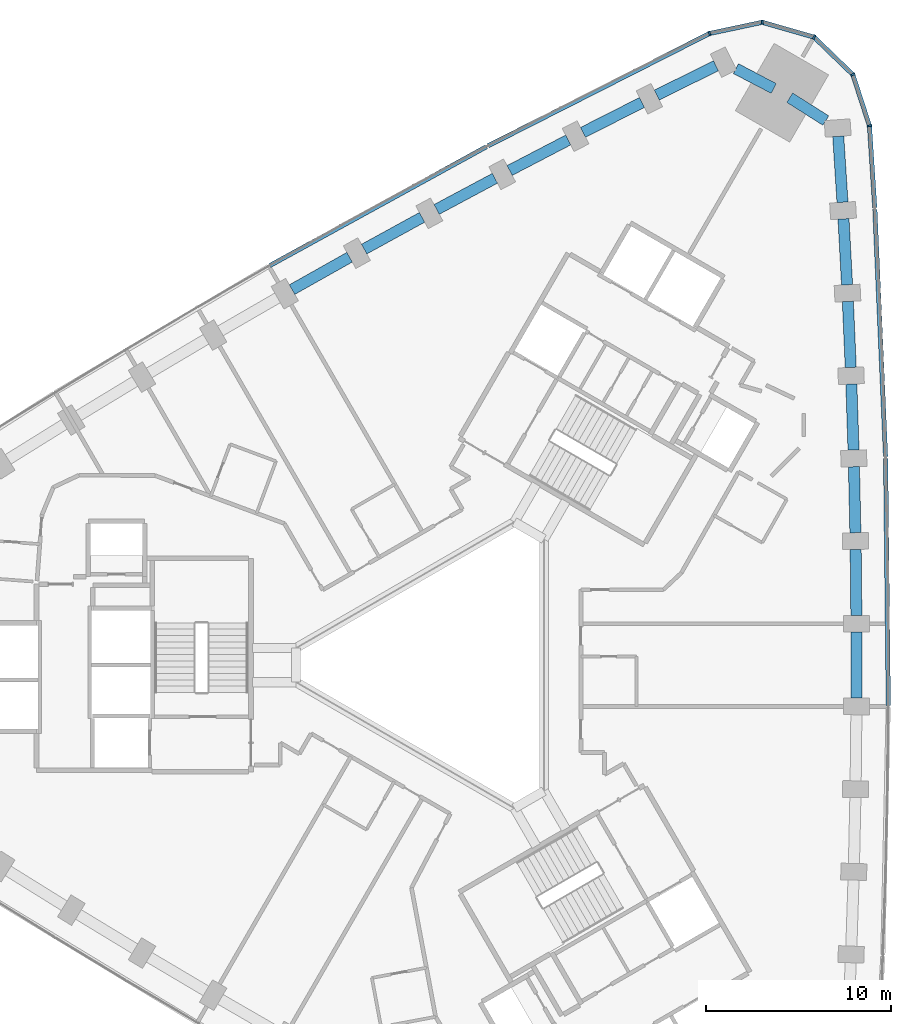
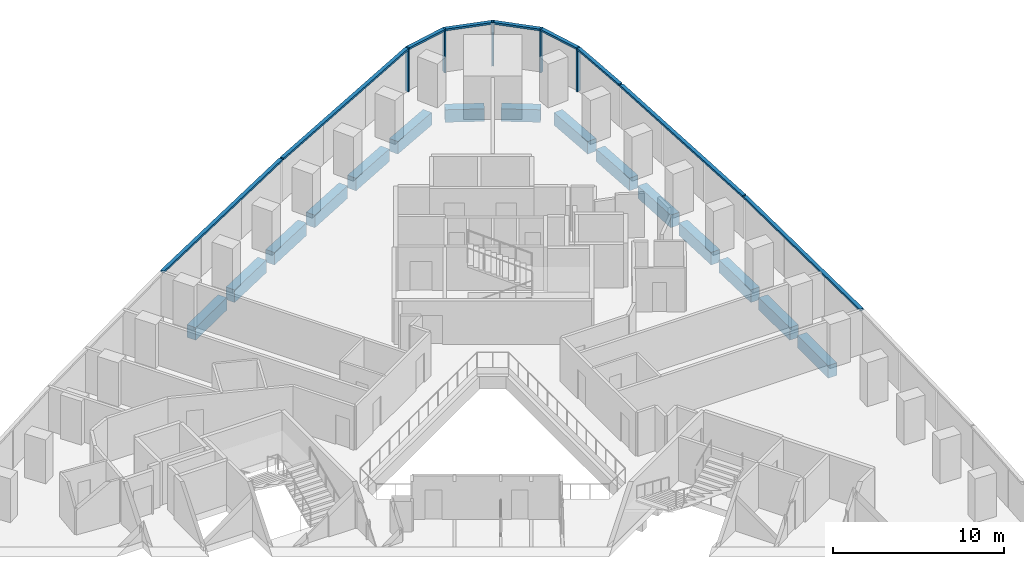
# One storey, part 5 of 13: 15 beams, 14 members, 2 elements without a shape of their own.
"""IFC4 building model written with IfcOpenShell, lengths in metres."""

from ifc_helpers import new_model, si_unit, direction, frame, origin, origin_2d, place, context, subcontext, project, spatial, rectangle, extrude, material, material_profile, profile_set, type_object, element, aggregate, save


model = new_model("IFC4")

# Units and contexts
model_context = context("Model", 3, precision=1e-05, world=origin(), true_north=direction((0.0, 1.0)))
body_context = subcontext(model_context, "Body", "Model", "MODEL_VIEW")
ifc_project = project(units=[si_unit("LENGTHUNIT", "METRE"), si_unit("AREAUNIT", "SQUARE_METRE"), si_unit("VOLUMEUNIT", "CUBIC_METRE"), si_unit("PLANEANGLEUNIT", "RADIAN"), si_unit("MASSUNIT", "GRAM", prefix="KILO")], contexts=[model_context])

# Site, building, storey
site_placement = place(None, origin())
site = spatial("IfcSite", under=ifc_project, at=site_placement, CompositionType="ELEMENT")
building_placement = place(site_placement, origin())
building = spatial("IfcBuilding", under=site, at=building_placement, Name="Tamra Quay Hotel Tower", CompositionType="ELEMENT")
storey_placement = place(building_placement, frame((0.0, 0.0, 38.60009765625)))
storey = spatial("IfcBuildingStorey", under=building, at=storey_placement, Name="L07", CompositionType="ELEMENT", Elevation=38.60009765625)

# Curtain wall, members
ifc_material_1 = material(Name="Aluminium 6063 anodised dark grey", Category="aluminium")
curtain_wall_type_1 = type_object("IfcCurtainWallType", Name="CW1 CURTAIN WALL", PredefinedType="NOTDEFINED", material=ifc_material_1)
curtain_wall_1_placement = place(storey_placement, origin())
curtain_wall_1 = element("IfcCurtainWall", 1, at=curtain_wall_1_placement, inside=storey, type_object=curtain_wall_type_1, Name="CW1 east face L07", PredefinedType="NOTDEFINED")
ifc_material_profile_1 = material_profile(ifc_material_1, rectangle(XDim=0.239990234375, YDim=0.10009765625, at=origin_2d()), Name="MULLION 100X240")
ifc_profile_set_1 = profile_set([ifc_material_profile_1], Name="Aluminium 6063 anodised dark grey")
member_type_1 = type_object("IfcMemberType", Name="MULLION CW1 Z1", PredefinedType="MULLION", material=ifc_profile_set_1)
member_1_placement = place(storey_placement, frame((22.5986328125, 29.154052734375, 0.0), z_axis=(0.0, 0.0, 1.0), x_axis=(0.982094520957, 0.188388831692, 0.0)))
member_1 = element("IfcMember", 2, at=member_1_placement, type_object=member_type_1, Name="CW1 mullion L07.E.14", PredefinedType="MULLION", context=body_context, shape_type="SweptSolid", body=[
    extrude(rectangle(XDim=0.239990234375, YDim=0.10009765625, at=origin_2d()), origin(), (0.0, 0.0, 1.0), 3.125),
])
member_2_placement = place(storey_placement, frame((21.697998046875, 31.926025390625, 0.0), z_axis=(0.0, 0.0, 1.0), x_axis=(0.848039345356, 0.529933268183, 0.0)))
member_2 = element("IfcMember", 3, at=member_2_placement, type_object=member_type_1, Name="CW1 mullion L07.E.15", PredefinedType="MULLION", context=body_context, shape_type="SweptSolid", body=[
    extrude(rectangle(XDim=0.239990234375, YDim=0.10009765625, at=origin_2d()), origin(), (0.0, 0.0, 1.0), 3.125),
])
member_3_placement = place(storey_placement, frame((19.6015625, 33.95068359375, 0.0), z_axis=(0.0, 0.0, 1.0), x_axis=(0.5, 0.866025403784, 0.0)))
member_3 = element("IfcMember", 4, at=member_3_placement, type_object=member_type_1, Name="CW1 mullion L07.E.16", PredefinedType="MULLION", context=body_context, shape_type="SweptSolid", body=[
    extrude(rectangle(XDim=0.239990234375, YDim=0.10009765625, at=origin_2d()), origin(), (0.0, 0.0, 1.0), 3.125),
])
member_4_placement = place(storey_placement, frame((16.7998046875, 34.754150390625, 0.0), z_axis=(0.0, 0.0, 1.0), x_axis=(0.034915999879, 0.999390250579, 0.0)))
member_4 = element("IfcMember", 5, at=member_4_placement, type_object=member_type_1, Name="CW1 mullion L07.E.17", PredefinedType="MULLION", context=body_context, shape_type="SweptSolid", body=[
    extrude(rectangle(XDim=0.239990234375, YDim=0.10009765625, at=origin_2d()), origin(), (0.0, 0.0, 1.0), 3.125),
])

# Curtain wall, member
curtain_wall_type_2 = type_object("IfcCurtainWallType", Name="CW2 CURTAIN WALL", PredefinedType="NOTDEFINED", material=ifc_material_1)
curtain_wall_2_placement = place(storey_placement, origin())
curtain_wall_2 = element("IfcCurtainWall", 6, at=curtain_wall_2_placement, inside=storey, type_object=curtain_wall_type_2, Name="CW2 north-west face L07", PredefinedType="NOTDEFINED")
ifc_material_profile_2 = material_profile(ifc_material_1, rectangle(XDim=0.239990234375, YDim=0.10009765625, at=origin_2d()), Name="MULLION 100X240")
ifc_profile_set_2 = profile_set([ifc_material_profile_2], Name="Aluminium 6063 anodised dark grey")
member_type_2 = type_object("IfcMemberType", Name="MULLION CW2 Z1", PredefinedType="MULLION", material=ifc_profile_set_2)
member_5_placement = place(storey_placement, frame((13.948974609375, 34.148193359375, 0.0), z_axis=(0.0, 0.0, 1.0), x_axis=(-0.327897746444, 0.944713219912, 0.0)))
member_5 = element("IfcMember", 7, at=member_5_placement, type_object=member_type_2, Name="CW2 mullion L07.NW.1", PredefinedType="MULLION", context=body_context, shape_type="SweptSolid", body=[
    extrude(rectangle(XDim=0.239990234375, YDim=0.10009765625, at=origin_2d()), origin(), (0.0, 0.0, 1.0), 3.125),
])

# Beams
ifc_material_2 = material(Name="Concrete M60", Category="concrete")
ifc_material_profile_3 = material_profile(ifc_material_2, rectangle(XDim=0.60009765625, YDim=0.89990234375, at=origin_2d()), Name="SPANDREL BEAM RC 600x900")
ifc_profile_set_3 = profile_set([ifc_material_profile_3], Name="Concrete M60")
beam_type = type_object("IfcBeamType", Name="SPANDREL BEAM RC 600x900", PredefinedType="SPANDREL", material=ifc_profile_set_3)
beam_1_placement = place(storey_placement, frame((21.894287109375, -1.785400390625, -0.925048828125), z_axis=(0.0, 1.0, 0.0), x_axis=(-1.0, 0.0, 0.0)))
element("IfcBeam", 8, at=beam_1_placement, inside=storey, type_object=beam_type, Name="BM-SP1-006-L07", PredefinedType="SPANDREL", context=body_context, shape_type="SweptSolid", body=[
    extrude(rectangle(XDim=0.60009765625, YDim=0.89990234375, at=origin_2d()), origin(), (0.0, 0.0, 1.0), 3.57080078125),
])
beam_2_placement = place(storey_placement, frame((21.889404296875, 2.685302734375, -0.925048828125), z_axis=(-0.010803527021, 0.999941640199, 0.0), x_axis=(-0.999941640199, -0.010803527021, 0.0)))
element("IfcBeam", 9, at=beam_2_placement, inside=storey, type_object=beam_type, Name="BM-SP1-007-L07", PredefinedType="SPANDREL", context=body_context, shape_type="SweptSolid", body=[
    extrude(rectangle(XDim=0.60009765625, YDim=0.89990234375, at=origin_2d()), origin(), (0.0, 0.0, 1.0), 3.570556640625),
])
beam_3_placement = place(storey_placement, frame((21.836181640625, 7.155517578125, -0.925048828125), z_axis=(-0.021679013576, 0.999764982569, 0.0), x_axis=(-0.999764982569, -0.021679013576, 0.0)))
element("IfcBeam", 10, at=beam_3_placement, inside=storey, type_object=beam_type, Name="BM-SP1-008-L07", PredefinedType="SPANDREL", context=body_context, shape_type="SweptSolid", body=[
    extrude(rectangle(XDim=0.60009765625, YDim=0.89990234375, at=origin_2d()), origin(), (0.0, 0.0, 1.0), 3.56982421875),
])
for number, where, z_axis, x_axis, name in (
    (11, (21.734619140625, 11.624267578125, -0.925048828125), (-0.032547568535, 0.999470187541, 0.0), (-0.999470187541, -0.032547568535, 0.0), "BM-SP1-009-L07"),
    (12, (21.58447265625, 16.09228515625, -0.925048828125), (-0.043282922957, 0.99906285517, 0.0), (-0.99906285517, -0.043282922957, 0.0), "BM-SP1-010-L07"),
):
    element("IfcBeam", number, at=place(storey_placement, frame(where, z_axis=z_axis, x_axis=x_axis)), inside=storey, type_object=beam_type, Name=name, PredefinedType="SPANDREL", context=body_context, shape_type="SweptSolid", body=[
        extrude(rectangle(XDim=0.60009765625, YDim=0.89990234375, at=origin_2d()), origin(), (0.0, 0.0, 1.0), 3.570556640625),
    ])
beam_4_placement = place(storey_placement, frame((21.385986328125, 20.558349609375, -0.925048828125), z_axis=(-0.054026860576, 0.998539482613, 0.0), x_axis=(-0.998539482613, -0.054026860576, 0.0)))
element("IfcBeam", 13, at=beam_4_placement, inside=storey, type_object=beam_type, Name="BM-SP1-011-L07", PredefinedType="SPANDREL", context=body_context, shape_type="SweptSolid", body=[
    extrude(rectangle(XDim=0.60009765625, YDim=0.89990234375, at=origin_2d()), origin(), (0.0, 0.0, 1.0), 3.56982421875),
])
beam_5_placement = place(storey_placement, frame((21.139404296875, 25.021484375, -0.925048828125), z_axis=(-0.064749077985, 0.99790157676, 0.0), x_axis=(-0.99790157676, -0.064749077985, 0.0)))
element("IfcBeam", 14, at=beam_5_placement, inside=storey, type_object=beam_type, Name="BM-SP1-012-L07", PredefinedType="SPANDREL", context=body_context, shape_type="SweptSolid", body=[
    extrude(rectangle(XDim=0.60009765625, YDim=0.89990234375, at=origin_2d()), origin(), (0.0, 0.0, 1.0), 3.57080078125),
])
beam_6_placement = place(storey_placement, frame((20.2373046875, 29.440185546875, -0.925048828125), z_axis=(-0.844978382684, 0.53480046073, 0.0), x_axis=(-0.53480046073, -0.844978382684, 0.0)))
element("IfcBeam", 15, at=beam_6_placement, inside=storey, type_object=beam_type, Name="BM-SP1-013-L07", PredefinedType="SPANDREL", context=body_context, shape_type="SweptSolid", body=[
    extrude(rectangle(XDim=0.60009765625, YDim=0.89990234375, at=origin_2d()), origin(), (0.0, 0.0, 1.0), 2.30859375),
])
beam_7_placement = place(storey_placement, frame((17.421630859375, 31.17431640625, -0.925048828125), z_axis=(-0.885674154565, 0.464307324879, 0.0), x_axis=(-0.464307324879, -0.885674154565, 0.0)))
element("IfcBeam", 16, at=beam_7_placement, inside=storey, type_object=beam_type, Name="BM-SP1-014-L07", PredefinedType="SPANDREL", context=body_context, shape_type="SweptSolid", body=[
    extrude(rectangle(XDim=0.60009765625, YDim=0.89990234375, at=origin_2d()), origin(), (0.0, 0.0, 1.0), 2.308349609375),
])
beam_8_placement = place(storey_placement, frame((14.301025390625, 32.3994140625, -0.925048828125), z_axis=(-0.896604328032, -0.442832563113, 0.0), x_axis=(0.442832563113, -0.896604328032, 0.0)))
element("IfcBeam", 17, at=beam_8_placement, inside=storey, type_object=beam_type, Name="BM-SP1-015-L07", PredefinedType="SPANDREL", context=body_context, shape_type="SweptSolid", body=[
    extrude(rectangle(XDim=0.60009765625, YDim=0.89990234375, at=origin_2d()), origin(), (0.0, 0.0, 1.0), 3.57080078125),
])
beam_9_placement = place(storey_placement, frame((10.294677734375, 30.415283203125, -0.925048828125), z_axis=(-0.891785652583, -0.452458119439, 0.0), x_axis=(0.452458119439, -0.891785652583, 0.0)))
element("IfcBeam", 18, at=beam_9_placement, inside=storey, type_object=beam_type, Name="BM-SP1-016-L07", PredefinedType="SPANDREL", context=body_context, shape_type="SweptSolid", body=[
    extrude(rectangle(XDim=0.60009765625, YDim=0.89990234375, at=origin_2d()), origin(), (0.0, 0.0, 1.0), 3.56982421875),
])
beam_10_placement = place(storey_placement, frame((6.310546875, 28.388427734375, -0.925048828125), z_axis=(-0.886863886749, -0.462030785101, 0.0), x_axis=(0.462030785101, -0.886863886749, 0.0)))
element("IfcBeam", 19, at=beam_10_placement, inside=storey, type_object=beam_type, Name="BM-SP1-017-L07", PredefinedType="SPANDREL", context=body_context, shape_type="SweptSolid", body=[
    extrude(rectangle(XDim=0.60009765625, YDim=0.89990234375, at=origin_2d()), origin(), (0.0, 0.0, 1.0), 3.570556640625),
])
beam_11_placement = place(storey_placement, frame((2.34814453125, 26.318603515625, -0.925048828125), z_axis=(-0.881809110934, -0.471606501094, 0.0), x_axis=(0.471606501094, -0.881809110934, 0.0)))
element("IfcBeam", 20, at=beam_11_placement, inside=storey, type_object=beam_type, Name="BM-SP1-018-L07", PredefinedType="SPANDREL", context=body_context, shape_type="SweptSolid", body=[
    extrude(rectangle(XDim=0.60009765625, YDim=0.89990234375, at=origin_2d()), origin(), (0.0, 0.0, 1.0), 3.5703125),
])
beam_12_placement = place(storey_placement, frame((-1.591796875, 24.2060546875, -0.925048828125), z_axis=(-0.876617015828, -0.481188744216, 0.0), x_axis=(0.481188744216, -0.876617015828, 0.0)))
element("IfcBeam", 21, at=beam_12_placement, inside=storey, type_object=beam_type, Name="BM-SP1-019-L07", PredefinedType="SPANDREL", context=body_context, shape_type="SweptSolid", body=[
    extrude(rectangle(XDim=0.60009765625, YDim=0.89990234375, at=origin_2d()), origin(), (0.0, 0.0, 1.0), 3.56982421875),
])
beam_13_placement = place(storey_placement, frame((-5.5078125, 22.051025390625, -0.925048828125), z_axis=(-0.871431243693, -0.49051767299, 0.0), x_axis=(0.49051767299, -0.871431243693, 0.0)))
element("IfcBeam", 22, at=beam_13_placement, inside=storey, type_object=beam_type, Name="BM-SP1-020-L07", PredefinedType="SPANDREL", context=body_context, shape_type="SweptSolid", body=[
    extrude(rectangle(XDim=0.60009765625, YDim=0.89990234375, at=origin_2d()), origin(), (0.0, 0.0, 1.0), 3.570556640625),
])

# Member
ifc_material_profile_4 = material_profile(ifc_material_1, rectangle(XDim=0.239990234375, YDim=0.139892578125, at=origin_2d()), Name="TRANSOM 240X140")
ifc_profile_set_4 = profile_set([ifc_material_profile_4], Name="Aluminium 6063 anodised dark grey")
member_type_3 = type_object("IfcMemberType", Name="TRANSOM CW1 Z1", PredefinedType="USERDEFINED", material=ifc_profile_set_4)
member_6_placement = place(storey_placement, frame((23.618408203125, -2.1943359375, 3.054931640625), z_axis=(-0.010831206208, 0.999941340766, 0.0), x_axis=(-0.999941340766, -0.010831206208, 0.0)))
member_6 = element("IfcMember", 23, at=member_6_placement, type_object=member_type_3, Name="CW1 transom L07.E.7", ObjectType="TRANSOM", PredefinedType="USERDEFINED", context=body_context, shape_type="SweptSolid", body=[
    extrude(rectangle(XDim=0.239990234375, YDim=0.139892578125, at=origin_2d()), origin(), (0.0, 0.0, 1.0), 13.366455078125),
])

member_7_placement = place(storey_placement, frame((23.470703125, 11.271484375, 3.054931640625), z_axis=(-0.043269977555, 0.999063415926, 0.0), x_axis=(-0.999063415926, -0.043269977555, 0.0)))
member_7 = element("IfcMember", 24, at=member_7_placement, type_object=member_type_3, Name="CW1 transom L07.E.10", ObjectType="TRANSOM", PredefinedType="USERDEFINED", context=body_context, shape_type="SweptSolid", body=[
    extrude(rectangle(XDim=0.239990234375, YDim=0.139892578125, at=origin_2d()), origin(), (0.0, 0.0, 1.0), 13.366455078125),
])

member_8_placement = place(storey_placement, frame((22.886474609375, 24.725341796875, 3.054931640625), z_axis=(-0.064816582932, 0.997897194393, 0.0), x_axis=(-0.997897194393, -0.064816582932, 0.0)))
member_8 = element("IfcMember", 25, at=member_8_placement, type_object=member_type_3, Name="CW1 transom L07.E.13", ObjectType="TRANSOM", PredefinedType="USERDEFINED", context=body_context, shape_type="SweptSolid", body=[
    extrude(rectangle(XDim=0.239990234375, YDim=0.139892578125, at=origin_2d()), origin(), (0.0, 0.0, 1.0), 4.38818359375),
])

member_9_placement = place(storey_placement, frame((22.583251953125, 29.20166015625, 3.054931640625), z_axis=(-0.309062535631, 0.951041717839, 0.0), x_axis=(-0.951041717839, -0.309062535631, 0.0)))
member_9 = element("IfcMember", 26, at=member_9_placement, type_object=member_type_3, Name="CW1 transom L07.E.14", ObjectType="TRANSOM", PredefinedType="USERDEFINED", context=body_context, shape_type="SweptSolid", body=[
    extrude(rectangle(XDim=0.239990234375, YDim=0.139892578125, at=origin_2d()), origin(), (0.0, 0.0, 1.0), 2.814453125),
])

member_10_placement = place(storey_placement, frame((21.662109375, 31.960693359375, 3.054931640625), z_axis=(-0.71931626538, 0.694682740796, 0.0), x_axis=(-0.694682740796, -0.71931626538, 0.0)))
member_10 = element("IfcMember", 27, at=member_10_placement, type_object=member_type_3, Name="CW1 transom L07.E.15", ObjectType="TRANSOM", PredefinedType="USERDEFINED", context=body_context, shape_type="SweptSolid", body=[
    extrude(rectangle(XDim=0.239990234375, YDim=0.139892578125, at=origin_2d()), origin(), (0.0, 0.0, 1.0), 2.814697265625),
])

member_11_placement = place(storey_placement, frame((19.553466796875, 33.96435546875, 3.054931640625), z_axis=(-0.961255085045, 0.275660409698, 0.0), x_axis=(-0.275660409698, -0.961255085045, 0.0)))
member_11 = element("IfcMember", 28, at=member_11_placement, type_object=member_type_3, Name="CW1 transom L07.E.16", ObjectType="TRANSOM", PredefinedType="USERDEFINED", context=body_context, shape_type="SweptSolid", body=[
    extrude(rectangle(XDim=0.239990234375, YDim=0.139892578125, at=origin_2d()), origin(), (0.0, 0.0, 1.0), 2.814697265625),
])

member_12_placement = place(storey_placement, frame((16.7509765625, 34.74365234375, 3.054931640625), z_axis=(-0.97816524345, -0.207828671039, 0.0), x_axis=(0.207828671039, -0.97816524345, 0.0)))
member_12 = element("IfcMember", 29, at=member_12_placement, type_object=member_type_3, Name="CW1 transom L07.E.17", ObjectType="TRANSOM", PredefinedType="USERDEFINED", context=body_context, shape_type="SweptSolid", body=[
    extrude(rectangle(XDim=0.239990234375, YDim=0.139892578125, at=origin_2d()), origin(), (0.0, 0.0, 1.0), 2.814697265625),
])

aggregate(curtain_wall_1, [member_6, member_7, member_8, member_1, member_9, member_2, member_10, member_3, member_11, member_4, member_12])

ifc_material_profile_5 = material_profile(ifc_material_1, rectangle(XDim=0.239990234375, YDim=0.139892578125, at=origin_2d()), Name="TRANSOM 240X140")
ifc_profile_set_5 = profile_set([ifc_material_profile_5], Name="Aluminium 6063 anodised dark grey")
member_type_4 = type_object("IfcMemberType", Name="TRANSOM CW2 Z1", PredefinedType="USERDEFINED", material=ifc_profile_set_5)
member_13_placement = place(storey_placement, frame((13.904052734375, 34.1259765625, 3.054931640625), z_axis=(-0.891785159734, -0.452459090834, 0.0), x_axis=(0.452459090834, -0.891785159734, 0.0)))
member_13 = element("IfcMember", 30, at=member_13_placement, type_object=member_type_4, Name="CW2 transom L07.NW.1", ObjectType="TRANSOM", PredefinedType="USERDEFINED", context=body_context, shape_type="SweptSolid", body=[
    extrude(rectangle(XDim=0.239990234375, YDim=0.139892578125, at=origin_2d()), origin(), (0.0, 0.0, 1.0), 13.365966796875),
])

member_14_placement = place(storey_placement, frame((1.89599609375, 28.03173828125, 3.054931640625), z_axis=(-0.876657857412, -0.481114332606, 0.0), x_axis=(0.481114332606, -0.876657857412, 0.0)))
member_14 = element("IfcMember", 31, at=member_14_placement, type_object=member_type_4, Name="CW2 transom L07.NW.4", ObjectType="TRANSOM", PredefinedType="USERDEFINED", context=body_context, shape_type="SweptSolid", body=[
    extrude(rectangle(XDim=0.239990234375, YDim=0.139892578125, at=origin_2d()), origin(), (0.0, 0.0, 1.0), 13.36669921875),
])

aggregate(curtain_wall_2, [member_5, member_13, member_14])

save(model, "model.ifc")
